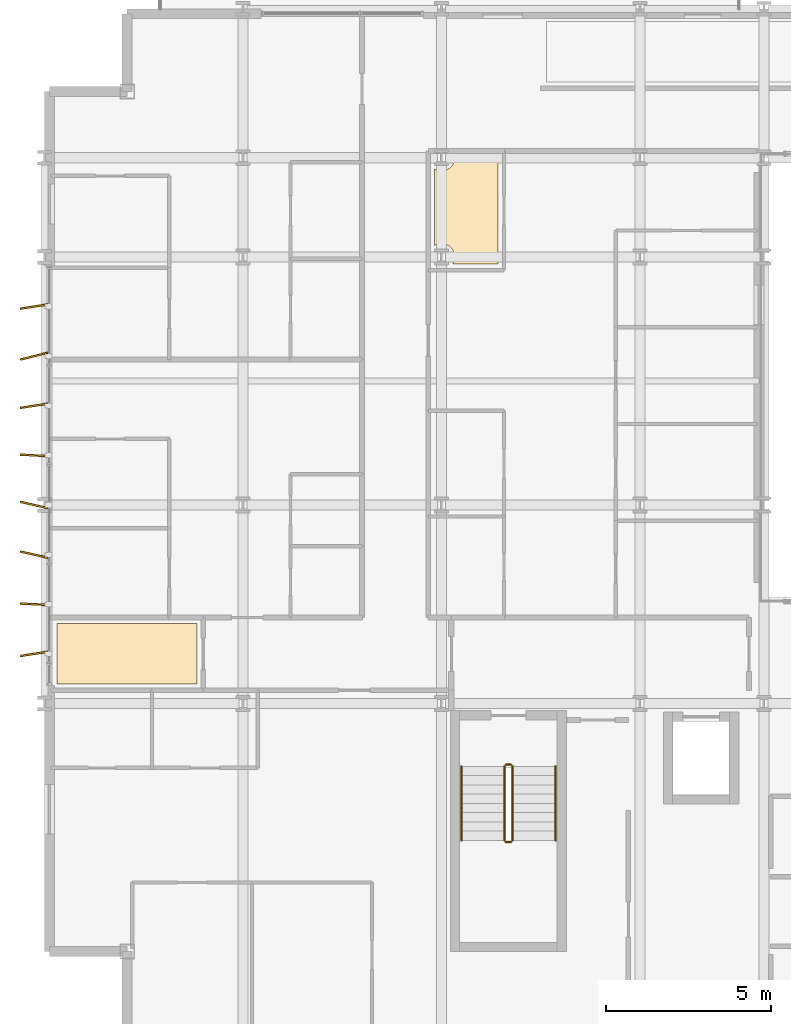
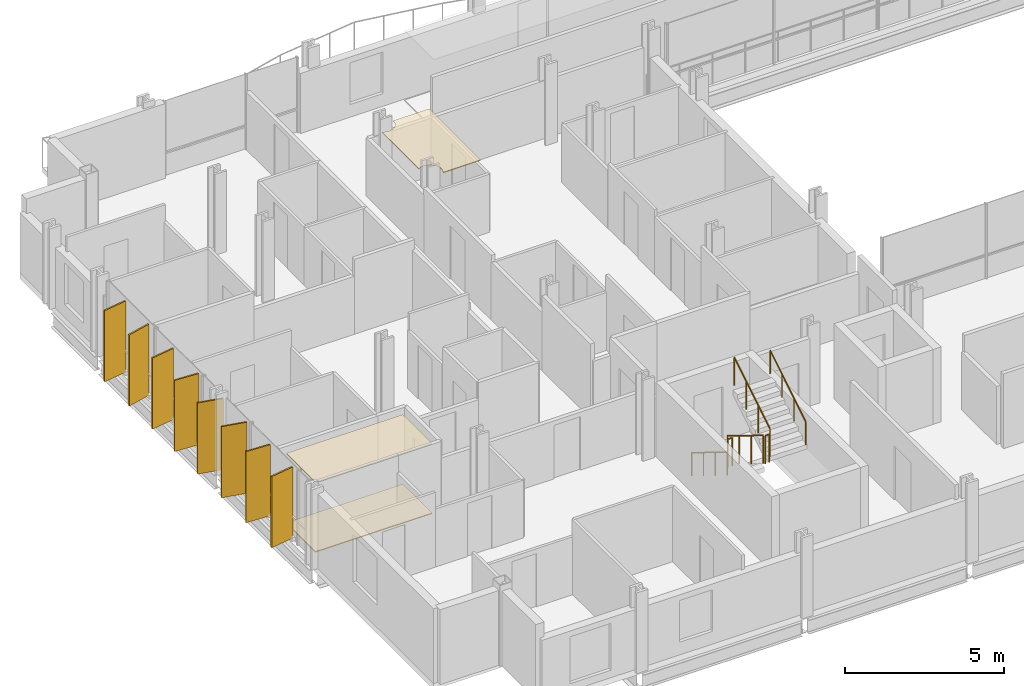
# One storey, part 35 of 38: 8 shading devices, 6 railings, 3 coverings.
"""IFC4 building model written with IfcOpenShell, lengths in metres."""

from ifc_helpers import new_model, si_unit, direction, frame, origin, origin_2d, place, context, subcontext, project, spatial, polyline, rectangle, circle, outline, extrude, material, layer, layer_set, type_object, element, save


model = new_model("IFC4")

# Units and contexts
model_context = context("Model", 3, precision=1e-05, world=origin(), true_north=direction((0.0, 1.0)))
body_context = subcontext(model_context, "Body", "Model", "MODEL_VIEW")
ifc_project = project(units=[si_unit("LENGTHUNIT", "METRE"), si_unit("AREAUNIT", "SQUARE_METRE"), si_unit("VOLUMEUNIT", "CUBIC_METRE"), si_unit("PLANEANGLEUNIT", "RADIAN"), si_unit("MASSUNIT", "GRAM", prefix="KILO")], contexts=[model_context])

# Site, building, storey
site_placement = place(None, origin())
site = spatial("IfcSite", under=ifc_project, at=site_placement, CompositionType="ELEMENT")
building_placement = place(site_placement, origin())
building = spatial("IfcBuilding", under=site, at=building_placement, Name="Brevholm Reach", CompositionType="ELEMENT")
storey_placement = place(building_placement, frame((0.0, 0.0, 59.0)))
storey = spatial("IfcBuildingStorey", under=building, at=storey_placement, Name="L16", CompositionType="ELEMENT", Elevation=59.0)

# Coverings
ifc_material_1 = material(Name="Moisture-Resistant Skimmed Gypsum Plasterboard Ceiling", Category="gypsum")
ifc_layer_1 = layer(ifc_material_1, 0.030029296875)
ifc_layer_set_1 = layer_set([ifc_layer_1], Name="Moisture-Resistant Skimmed Gypsum Plasterboard Ceiling")
covering_type_1 = type_object("IfcCoveringType", Name="COV-CLG-GYP", PredefinedType="CEILING", material=ifc_layer_set_1)
covering_1_placement = place(storey_placement, frame((0.0, 0.0, 2.669921875)))
element("IfcCovering", 1, at=covering_1_placement, inside=storey, type_object=covering_type_1, Name="L16 Suspended Ceiling L16-30", PredefinedType="CEILING", context=body_context, shape_type="SweptSolid", body=[
    extrude(outline(polyline([(0.3798828125, 12.419921875), (4.615966796875, 12.419921875), (4.615966796875, 10.583984375), (0.3798828125, 10.583984375), (0.3798828125, 12.419921875)])), origin(), (0.0, 0.0, 1.0), 0.030029296875),
])
covering_2_placement = place(storey_placement, frame((0.0, 0.0, 2.669921875)))
element("IfcCovering", 2, at=covering_2_placement, inside=storey, type_object=covering_type_1, Name="L16 Suspended Ceiling L16-50", PredefinedType="CEILING", context=body_context, shape_type="SweptSolid", body=[
    extrude(outline(polyline([(13.708984375, 23.280029296875), (12.333984375, 23.280029296875), (12.352783203125, 23.311279296875), (12.36962890625, 23.346923828125), (12.3828125, 23.3837890625), (12.392333984375, 23.422119140625), (12.398193359375, 23.460693359375), (12.39990234375, 23.5), (12.398193359375, 23.539306640625), (12.392333984375, 23.577880859375), (12.3828125, 23.6162109375), (12.36962890625, 23.653076171875), (12.352783203125, 23.688720703125), (12.33251953125, 23.72216796875), (12.30908203125, 23.75390625), (12.28271484375, 23.78271484375), (12.25390625, 23.80908203125), (12.22216796875, 23.83251953125), (12.188720703125, 23.852783203125), (12.153076171875, 23.86962890625), (12.1162109375, 23.8828125), (12.077880859375, 23.892333984375), (12.039306640625, 23.898193359375), (12.0, 23.89990234375), (11.960693359375, 23.898193359375), (11.922119140625, 23.892333984375), (11.8837890625, 23.8828125), (11.846923828125, 23.86962890625), (11.811279296875, 23.852783203125), (11.783935546875, 23.836181640625), (11.783935546875, 26.163818359375), (11.811279296875, 26.147216796875), (11.846923828125, 26.13037109375), (11.8837890625, 26.1171875), (11.922119140625, 26.107666015625), (11.960693359375, 26.101806640625), (12.0, 26.10009765625), (12.039306640625, 26.101806640625), (12.077880859375, 26.107666015625), (12.1162109375, 26.1171875), (12.153076171875, 26.13037109375), (12.188720703125, 26.147216796875), (12.22216796875, 26.16748046875), (12.25390625, 26.19091796875), (12.28271484375, 26.21728515625), (12.30908203125, 26.24609375), (12.33251953125, 26.27783203125), (12.352783203125, 26.311279296875), (12.36962890625, 26.346923828125), (12.3828125, 26.3837890625), (12.392333984375, 26.422119140625), (12.398193359375, 26.460693359375), (12.39990234375, 26.5), (12.399169921875, 26.51611328125), (13.708984375, 26.51611328125), (13.708984375, 23.280029296875)])), origin(), (0.0, 0.0, 1.0), 0.030029296875),
])
ifc_material_2 = material(Name="Honed Portland-Aggregate Resin Terrazzo Flooring", Category="concrete")
ifc_layer_2 = layer(ifc_material_2, 0.031982421875)
ifc_layer_set_2 = layer_set([ifc_layer_2], Name="Honed Portland-Aggregate Resin Terrazzo Flooring")
covering_type_2 = type_object("IfcCoveringType", Name="COV-FLR-TRZ", PredefinedType="FLOORING", material=ifc_layer_set_2)
covering_3_placement = place(storey_placement, origin())
element("IfcCovering", 3, at=covering_3_placement, inside=storey, type_object=covering_type_2, Name="L16 Floor Finish L16-30", PredefinedType="FLOORING", context=body_context, shape_type="SweptSolid", body=[
    extrude(outline(polyline([(0.3798828125, 12.419921875), (4.615966796875, 12.419921875), (4.615966796875, 10.583984375), (0.3798828125, 10.583984375), (0.3798828125, 12.419921875)])), origin(), (0.0, 0.0, 1.0), 0.031982421875),
])

# Railings
ifc_material_3 = material(Name="Brushed Stainless Steel EN 1.4401 Continuous Handrail", Category="steel")
railing_type_1 = type_object("IfcRailingType", Name="RAL-HND-950", PredefinedType="HANDRAIL", material=ifc_material_3)
railing_1_placement = place(storey_placement, frame((12.60009765625, 8.10009765625, 0.172119140625)))
element("IfcRailing", 4, at=railing_1_placement, inside=storey, type_object=railing_type_1, Name="L16 ST-1 stair handrail 1", PredefinedType="HANDRAIL", context=body_context, shape_type="SweptSolid", body=[
    extrude(circle(Radius=0.02392578125, at=origin_2d()), frame((0.0, 0.0, 0.8857421875), z_axis=(0.0, -0.851747552033, 0.523952390591), x_axis=(1.0, 0.0, 0.0)), (0.0, 0.0, 1.0), 2.6298828125),
    extrude(circle(Radius=0.02099609375, at=origin_2d()), origin(), (0.0, 0.0, 1.0), 0.86181640625),
    extrude(circle(Radius=0.02099609375, at=origin_2d()), frame((0.0, -0.74658203125, 0.459228515625)), (0.0, 0.0, 1.0), 0.86181640625),
    extrude(circle(Radius=0.02099609375, at=origin_2d()), frame((0.0, -1.493408203125, 0.918701171875)), (0.0, 0.0, 1.0), 0.86181640625),
    extrude(circle(Radius=0.02099609375, at=origin_2d()), frame((0.0, -2.239990234375, 1.3779296875)), (0.0, 0.0, 1.0), 0.86181640625),
])
railing_2_placement = place(storey_placement, frame((15.449951171875, 5.860107421875, 1.72216796875)))
element("IfcRailing", 5, at=railing_2_placement, inside=storey, type_object=railing_type_1, Name="L16 ST-1 stair handrail 2", PredefinedType="HANDRAIL", context=body_context, shape_type="SweptSolid", body=[
    extrude(circle(Radius=0.02392578125, at=origin_2d()), frame((0.0, 0.0, 0.8857421875), z_axis=(0.0, 0.851747552033, 0.523952390591), x_axis=(-1.0, 0.0, 0.0)), (0.0, 0.0, 1.0), 2.6298828125),
    extrude(circle(Radius=0.02099609375, at=origin_2d()), origin(), (0.0, 0.0, 1.0), 0.86181640625),
    extrude(circle(Radius=0.02099609375, at=origin_2d()), frame((0.0, 0.74658203125, 0.459228515625)), (0.0, 0.0, 1.0), 0.86181640625),
    extrude(circle(Radius=0.02099609375, at=origin_2d()), frame((0.0, 1.493408203125, 0.918701171875)), (0.0, 0.0, 1.0), 0.86181640625),
    extrude(circle(Radius=0.02099609375, at=origin_2d()), frame((0.0, 2.239990234375, 1.3779296875)), (0.0, 0.0, 1.0), 0.86181640625),
])
ifc_material_4 = material(Name="Painted Tubular Galvanised Steel S275JR Stair Guard", Category="steel")
railing_type_2 = type_object("IfcRailingType", Name="RAL-STG-1120", PredefinedType="BALUSTRADE", material=ifc_material_4)
railing_3_placement = place(storey_placement, frame((13.89990234375, 8.10009765625, 0.172119140625)))
element("IfcRailing", 6, at=railing_3_placement, inside=storey, type_object=railing_type_2, Name="L16 ST-1 stair guard 1", PredefinedType="BALUSTRADE", context=body_context, shape_type="SweptSolid", body=[
    extrude(circle(Radius=0.02392578125, at=origin_2d()), frame((0.0, 0.0, 1.076171875), z_axis=(0.0, -0.851747552033, 0.523952390591), x_axis=(1.0, 0.0, 0.0)), (0.0, 0.0, 1.0), 2.6298828125),
    extrude(circle(Radius=0.02099609375, at=origin_2d()), origin(), (0.0, 0.0, 1.0), 1.052001953125),
    extrude(circle(Radius=0.02099609375, at=origin_2d()), frame((0.0, -0.74658203125, 0.459228515625)), (0.0, 0.0, 1.0), 1.052001953125),
    extrude(circle(Radius=0.02099609375, at=origin_2d()), frame((0.0, -1.493408203125, 0.918701171875)), (0.0, 0.0, 1.0), 1.052001953125),
    extrude(circle(Radius=0.02099609375, at=origin_2d()), frame((0.0, -2.239990234375, 1.3779296875)), (0.0, 0.0, 1.0), 1.052001953125),
])
railing_4_placement = place(storey_placement, frame((13.949951171875, 5.81005859375, 1.550048828125)))
element("IfcRailing", 7, at=railing_4_placement, inside=storey, type_object=railing_type_2, Name="L16 ST-1 stair guard 2", PredefinedType="BALUSTRADE", context=body_context, shape_type="SweptSolid", body=[
    extrude(circle(Radius=0.02392578125, at=origin_2d()), frame((0.0, 0.0, 1.076171875), z_axis=(1.0, 0.0, 0.0), x_axis=(0.0, 1.0, 0.0)), (0.0, 0.0, 1.0), 0.150146484375),
    extrude(circle(Radius=0.02099609375, at=origin_2d()), origin(), (0.0, 0.0, 1.0), 1.052001953125),
    extrude(circle(Radius=0.02099609375, at=origin_2d()), frame((0.150146484375, 0.0, 0.0)), (0.0, 0.0, 1.0), 1.052001953125),
])
railing_5_placement = place(storey_placement, frame((14.14990234375, 5.860107421875, 1.72216796875)))
element("IfcRailing", 8, at=railing_5_placement, inside=storey, type_object=railing_type_2, Name="L16 ST-1 stair guard 3", PredefinedType="BALUSTRADE", context=body_context, shape_type="SweptSolid", body=[
    extrude(circle(Radius=0.02392578125, at=origin_2d()), frame((0.0, 0.0, 1.076171875), z_axis=(0.0, 0.851747552033, 0.523952390591), x_axis=(-1.0, 0.0, 0.0)), (0.0, 0.0, 1.0), 2.6298828125),
    extrude(circle(Radius=0.02099609375, at=origin_2d()), origin(), (0.0, 0.0, 1.0), 1.052001953125),
    extrude(circle(Radius=0.02099609375, at=origin_2d()), frame((0.0, 0.74658203125, 0.459228515625)), (0.0, 0.0, 1.0), 1.052001953125),
    extrude(circle(Radius=0.02099609375, at=origin_2d()), frame((0.0, 1.493408203125, 0.918701171875)), (0.0, 0.0, 1.0), 1.052001953125),
    extrude(circle(Radius=0.02099609375, at=origin_2d()), frame((0.0, 2.239990234375, 1.3779296875)), (0.0, 0.0, 1.0), 1.052001953125),
])
railing_6_placement = place(storey_placement, frame((13.949951171875, 8.14990234375, 0.0)))
element("IfcRailing", 9, at=railing_6_placement, inside=storey, type_object=railing_type_2, Name="L16 ST-1 stair guard 4", PredefinedType="BALUSTRADE", context=body_context, shape_type="SweptSolid", body=[
    extrude(circle(Radius=0.02392578125, at=origin_2d()), frame((0.0, 0.0, 1.076171875), z_axis=(1.0, 0.0, 0.0), x_axis=(0.0, 1.0, 0.0)), (0.0, 0.0, 1.0), 0.150146484375),
    extrude(circle(Radius=0.02099609375, at=origin_2d()), origin(), (0.0, 0.0, 1.0), 1.052001953125),
    extrude(circle(Radius=0.02099609375, at=origin_2d()), frame((0.150146484375, 0.0, 0.0)), (0.0, 0.0, 1.0), 1.052001953125),
])

# Shading devices
ifc_material_5 = material(Name="Perforated Champagne-Bronze Anodised Aluminium", Category="aluminium")
ifc_layer_3 = layer(ifc_material_5, 0.054931640625)
ifc_layer_set_3 = layer_set([ifc_layer_3], Name="Perforated Champagne-Bronze Anodised Aluminium")
shading_device_type = type_object("IfcShadingDeviceType", Name="SHD-FIN-850", PredefinedType="USERDEFINED", material=ifc_layer_set_3)
for number, where, z_axis, x_axis, name in (
    (10, (-0.31494140625, 11.5, 0.070068359375), (0.0, 0.0, 1.0), (-0.98812670006, -0.153641220472, 0.0), "L16 Perforated Solar Screen Fin 1"),
    (11, (-0.31494140625, 13.0, 0.070068359375), (0.0, 0.0, 1.0), (-0.998648649808, 0.051969935895, 0.0), "L16 Perforated Solar Screen Fin 2"),
    (12, (-0.31494140625, 14.5, 0.070068359375), (0.0, 0.0, 1.0), (-0.976099170704, 0.217325582827, 0.0), "L16 Perforated Solar Screen Fin 3"),
    (13, (-0.31494140625, 16.0, 0.070068359375), (0.0, 0.0, 1.0), (-0.975634206544, 0.219403498199, 0.0), "L16 Perforated Solar Screen Fin 4"),
    (14, (-0.31494140625, 17.5, 0.070068359375), (0.0, 0.0, 1.0), (-0.998390680929, 0.056710212777, 0.0), "L16 Perforated Solar Screen Fin 5"),
    (15, (-0.31494140625, 19.0, 0.070068359375), (0.0, 0.0, 1.0), (-0.988706738885, -0.149863219248, 0.0), "L16 Perforated Solar Screen Fin 6"),
    (16, (-0.31494140625, 20.5, 0.070068359375), (0.0, 0.0, 1.0), (-0.970299948462, -0.241904960708, 0.0), "L16 Perforated Solar Screen Fin 7"),
    (17, (-0.31494140625, 22.0, 0.070068359375), (0.0, 0.0, 1.0), (-0.98812670006, -0.153641220472, 0.0), "L16 Perforated Solar Screen Fin 8"),
):
    element("IfcShadingDevice", number, at=place(storey_placement, frame(where, z_axis=z_axis, x_axis=x_axis)), inside=storey, type_object=shading_device_type, Name=name, ObjectType="SCREEN", PredefinedType="USERDEFINED", context=body_context, shape_type="SweptSolid", body=[
        extrude(rectangle(XDim=0.85009765625, YDim=0.054931640625, at=origin_2d()), origin(), (0.0, 0.0, 1.0), 2.72998046875),
    ])

save(model, "model.ifc")
